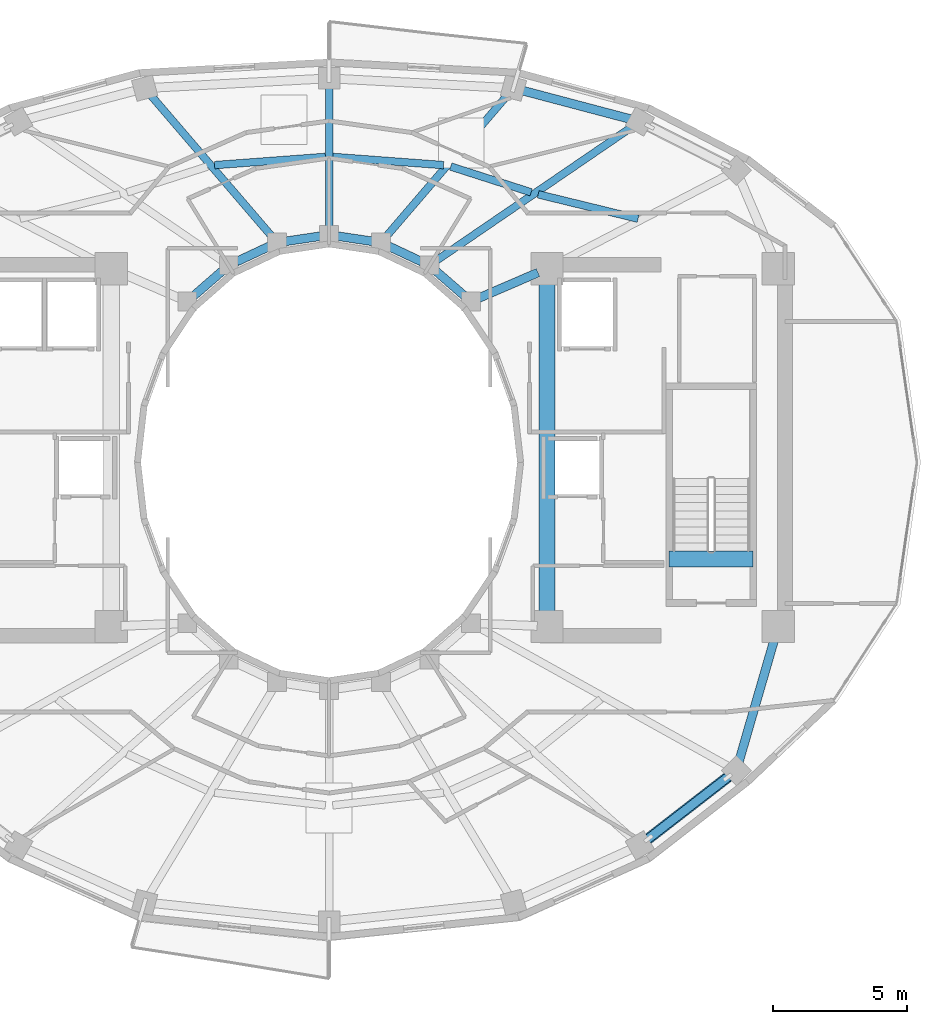
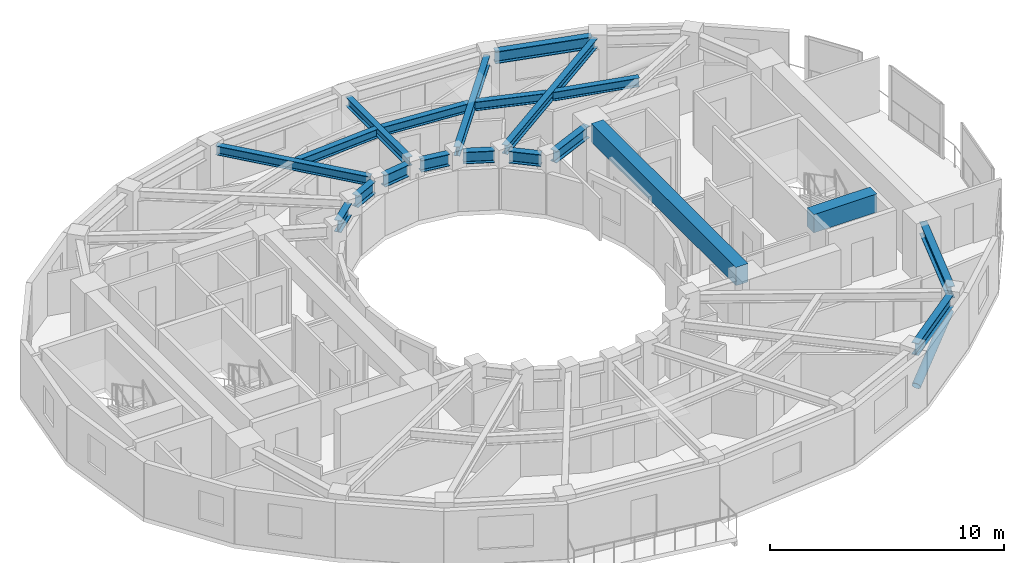
# One storey, part 2 of 12: 20 beams, 1 member.
"""IFC4 building model written with IfcOpenShell, lengths in metres."""

from ifc_helpers import new_model, si_unit, direction, frame, origin, origin_2d, place, context, subcontext, project, spatial, rectangle, hollow_circle, i_section, extrude, material, material_profile, profile_set, type_object, element, save


model = new_model("IFC4")

# Units and contexts
model_context = context("Model", 3, precision=1e-05, world=origin(), true_north=direction((0.0, 1.0)))
body_context = subcontext(model_context, "Body", "Model", "MODEL_VIEW")
ifc_project = project(units=[si_unit("LENGTHUNIT", "METRE"), si_unit("AREAUNIT", "SQUARE_METRE"), si_unit("VOLUMEUNIT", "CUBIC_METRE"), si_unit("PLANEANGLEUNIT", "RADIAN"), si_unit("MASSUNIT", "GRAM", prefix="KILO")], contexts=[model_context])

# Site, building, storey
site_placement = place(None, origin())
site = spatial("IfcSite", under=ifc_project, at=site_placement, CompositionType="ELEMENT")
building_placement = place(site_placement, origin())
building = spatial("IfcBuilding", under=site, at=building_placement, Name="Solvane Sanctuary Tower", CompositionType="ELEMENT")
storey_placement = place(building_placement, frame((0.0, 0.0, 214.0)))
storey = spatial("IfcBuildingStorey", under=building, at=storey_placement, Name="L65", CompositionType="ELEMENT", Elevation=214.0)

# Beams
ifc_material_1 = material(Name="Concrete C70/85", Category="concrete")
ifc_material_profile_1 = material_profile(ifc_material_1, rectangle(XDim=0.60009765625, YDim=0.949951171875, at=origin_2d()), Name="RC600X950")
ifc_profile_set_1 = profile_set([ifc_material_profile_1], Name="Concrete C70/85")
beam_type_1 = type_object("IfcBeamType", Name="Beam B-COUPLE RC600X950", PredefinedType="LINTEL", material=ifc_profile_set_1)
beam_1_placement = place(storey_placement, frame((40.10009765625, 17.35009765625, 2.625), z_axis=(0.0, 1.0, 0.0), x_axis=(-1.0, 0.0, 0.0)))
element("IfcBeam", 1, at=beam_1_placement, inside=storey, type_object=beam_type_1, Name="L65 East Core Coupling Lintel", PredefinedType="LINTEL", context=body_context, shape_type="SweptSolid", body=[
    extrude(rectangle(XDim=0.60009765625, YDim=0.949951171875, at=origin_2d()), origin(), (0.0, 0.0, 1.0), 12.39990234375),
])
beam_2_placement = place(storey_placement, frame((44.64990234375, 19.399169921875, 2.625), z_axis=(1.0, 0.0, 0.0), x_axis=(0.0, 1.0, 0.0)))
element("IfcBeam", 2, at=beam_2_placement, inside=storey, type_object=beam_type_1, Name="L65 ST-2 Stair Floor Landing Trimmer", PredefinedType="LINTEL", context=body_context, shape_type="SweptSolid", body=[
    extrude(rectangle(XDim=0.60009765625, YDim=0.949951171875, at=origin_2d()), origin(), (0.0, 0.0, 1.0), 3.1201171875),
])
ifc_material_2 = material(Name="Steel ASTM A992 Grade 50", Category="steel")
ifc_material_profile_2 = material_profile(ifc_material_2, i_section(OverallWidth=0.282958984375, OverallDepth=0.471923828125, WebThickness=0.013671875, FlangeThickness=0.022216796875, FilletRadius=0.013916015625, at=origin_2d()), Name="W18X97")
ifc_profile_set_2 = profile_set([ifc_material_profile_2], Name="Steel ASTM A992 Grade 50")
beam_type_2 = type_object("IfcBeamType", Name="Beam B-RAD-Z4 W18X97", PredefinedType="JOIST", material=ifc_profile_set_2)
beam_3_placement = place(storey_placement, frame((35.961181640625, 30.484619140625, 2.64208984375), z_axis=(0.825707980649, 0.564097802418, 0.0), x_axis=(-0.564097802418, 0.825707980649, 0.0)))
element("IfcBeam", 3, at=beam_3_placement, inside=storey, type_object=beam_type_2, Name="L65 Radial Composite Floor Beam 02", PredefinedType="JOIST", context=body_context, shape_type="SweptSolid", body=[
    extrude(i_section(OverallWidth=0.282958984375, OverallDepth=0.471923828125, WebThickness=0.013671875, FlangeThickness=0.022216796875, FilletRadius=0.013916015625, at=origin_2d()), origin(), (0.0, 0.0, 1.0), 8.9169921875),
])
beam_4_placement = place(storey_placement, frame((34.113037109375, 31.38427734375, 2.64208984375), z_axis=(0.651023809724, 0.759057309544, 0.0), x_axis=(-0.759057309544, 0.651023809724, 0.0)))
element("IfcBeam", 4, at=beam_4_placement, inside=storey, type_object=beam_type_2, Name="L65 Radial Composite Floor Beam 03", PredefinedType="JOIST", context=body_context, shape_type="SweptSolid", body=[
    extrude(i_section(OverallWidth=0.282958984375, OverallDepth=0.471923828125, WebThickness=0.013671875, FlangeThickness=0.022216796875, FilletRadius=0.013916015625, at=origin_2d()), origin(), (0.0, 0.0, 1.0), 7.005615234375),
])
beam_5_placement = place(storey_placement, frame((32.0, 31.739990234375, 2.64208984375), z_axis=(0.0, 1.0, 0.0), x_axis=(-1.0, 0.0, 0.0)))
element("IfcBeam", 5, at=beam_5_placement, inside=storey, type_object=beam_type_2, Name="L65 Radial Composite Floor Beam 04", PredefinedType="JOIST", context=body_context, shape_type="SweptSolid", body=[
    extrude(i_section(OverallWidth=0.282958984375, OverallDepth=0.471923828125, WebThickness=0.013671875, FlangeThickness=0.022216796875, FilletRadius=0.013916015625, at=origin_2d()), origin(), (0.0, 0.0, 1.0), 5.260009765625),
])
beam_6_placement = place(storey_placement, frame((29.886962890625, 31.38427734375, 2.64208984375), z_axis=(-0.651023809724, 0.759057309544, 0.0), x_axis=(-0.759057309544, -0.651023809724, 0.0)))
element("IfcBeam", 6, at=beam_6_placement, inside=storey, type_object=beam_type_2, Name="L65 Radial Composite Floor Beam 05", PredefinedType="JOIST", context=body_context, shape_type="SweptSolid", body=[
    extrude(i_section(OverallWidth=0.282958984375, OverallDepth=0.471923828125, WebThickness=0.013671875, FlangeThickness=0.022216796875, FilletRadius=0.013916015625, at=origin_2d()), origin(), (0.0, 0.0, 1.0), 7.005615234375),
])
ifc_material_profile_3 = material_profile(ifc_material_2, i_section(OverallWidth=0.324951171875, OverallDepth=0.615966796875, WebThickness=0.013916015625, FlangeThickness=0.021484375, FilletRadius=0.01611328125, at=origin_2d()), Name="W24X117")
ifc_profile_set_3 = profile_set([ifc_material_profile_3], Name="Steel ASTM A992 Grade 50")
beam_type_3 = type_object("IfcBeamType", Name="Beam B-RING-IN2 W24X117", PredefinedType="BEAM", material=ifc_profile_set_3)
beam_7_placement = place(storey_placement, frame((26.96630859375, 29.192138671875, 2.570068359375), z_axis=(0.754388985763, 0.656427648839, 0.0), x_axis=(-0.656427648839, 0.754388985763, 0.0)))
element("IfcBeam", 7, at=beam_7_placement, inside=storey, type_object=beam_type_3, Name="L65 Inner Light-Well Ring Beam IC07-IC06", PredefinedType="BEAM", context=body_context, shape_type="SweptSolid", body=[
    extrude(i_section(OverallWidth=0.324951171875, OverallDepth=0.615966796875, WebThickness=0.013916015625, FlangeThickness=0.021484375, FilletRadius=0.01611328125, at=origin_2d()), origin(), (0.0, 0.0, 1.0), 1.408203125),
])
beam_8_placement = place(storey_placement, frame((28.5595703125, 30.462646484375, 2.570068359375), z_axis=(0.905134542189, 0.425125229241, 0.0), x_axis=(-0.425125229241, 0.905134542189, 0.0)))
element("IfcBeam", 8, at=beam_8_placement, inside=storey, type_object=beam_type_3, Name="L65 Inner Light-Well Ring Beam IC06-IC05", PredefinedType="BEAM", context=body_context, shape_type="SweptSolid", body=[
    extrude(i_section(OverallWidth=0.324951171875, OverallDepth=0.615966796875, WebThickness=0.013916015625, FlangeThickness=0.021484375, FilletRadius=0.01611328125, at=origin_2d()), origin(), (0.0, 0.0, 1.0), 1.347900390625),
])
for number, where, z_axis, x_axis, name in (
    (9, (30.3857421875, 31.218994140625, 2.570068359375), (0.989056121481, 0.147539786368, 0.0), (-0.147539786368, 0.989056121481, 0.0), "L65 Inner Light-Well Ring Beam IC05-IC04"),
    (10, (32.31640625, 31.41259765625, 2.570068359375), (0.989056121481, -0.147539786368, 0.0), (0.147539786368, 0.989056121481, 0.0), "L65 Inner Light-Well Ring Beam IC04-IC03"),
):
    element("IfcBeam", number, at=place(storey_placement, frame(where, z_axis=z_axis, x_axis=x_axis)), inside=storey, type_object=beam_type_3, Name=name, PredefinedType="BEAM", context=body_context, shape_type="SweptSolid", body=[
        extrude(i_section(OverallWidth=0.324951171875, OverallDepth=0.615966796875, WebThickness=0.013916015625, FlangeThickness=0.021484375, FilletRadius=0.01611328125, at=origin_2d()), origin(), (0.0, 0.0, 1.0), 1.312255859375),
    ])
beam_9_placement = place(storey_placement, frame((34.220458984375, 31.03564453125, 2.570068359375), z_axis=(0.905134542189, -0.425125229241, 0.0), x_axis=(0.425125229241, 0.905134542189, 0.0)))
element("IfcBeam", 11, at=beam_9_placement, inside=storey, type_object=beam_type_3, Name="L65 Inner Light-Well Ring Beam IC03-IC02", PredefinedType="BEAM", context=body_context, shape_type="SweptSolid", body=[
    extrude(i_section(OverallWidth=0.324951171875, OverallDepth=0.615966796875, WebThickness=0.013916015625, FlangeThickness=0.021484375, FilletRadius=0.01611328125, at=origin_2d()), origin(), (0.0, 0.0, 1.0), 1.347900390625),
])
beam_10_placement = place(storey_placement, frame((35.971435546875, 30.116455078125, 2.570068359375), z_axis=(0.754388985763, -0.656427648839, 0.0), x_axis=(0.656427648839, 0.754388985763, 0.0)))
element("IfcBeam", 12, at=beam_10_placement, inside=storey, type_object=beam_type_3, Name="L65 Inner Light-Well Ring Beam IC02-IC01", PredefinedType="BEAM", context=body_context, shape_type="SweptSolid", body=[
    extrude(i_section(OverallWidth=0.324951171875, OverallDepth=0.615966796875, WebThickness=0.013916015625, FlangeThickness=0.021484375, FilletRadius=0.01611328125, at=origin_2d()), origin(), (0.0, 0.0, 1.0), 1.408203125),
])
beam_11_placement = place(storey_placement, frame((37.56884765625, 29.10888671875, 2.570068359375), z_axis=(0.918283854026, 0.395922673554, 0.0), x_axis=(-0.395922673554, 0.918283854026, 0.0)))
element("IfcBeam", 13, at=beam_11_placement, inside=storey, type_object=beam_type_3, Name="L65 Inner Light-Well Ring Beam IC01-CE4", PredefinedType="BEAM", context=body_context, shape_type="SweptSolid", body=[
    extrude(i_section(OverallWidth=0.324951171875, OverallDepth=0.615966796875, WebThickness=0.013916015625, FlangeThickness=0.021484375, FilletRadius=0.01611328125, at=origin_2d()), origin(), (0.0, 0.0, 1.0), 2.396240234375),
])
ifc_material_profile_4 = material_profile(ifc_material_2, i_section(OverallWidth=0.280029296875, OverallDepth=0.462890625, WebThickness=0.0107421875, FlangeThickness=0.017333984375, FilletRadius=0.013916015625, at=origin_2d()), Name="W18X76")
ifc_profile_set_4 = profile_set([ifc_material_profile_4], Name="Steel ASTM A992 Grade 50")
beam_type_4 = type_object("IfcBeamType", Name="Beam B-SEC-JOIST W18X76", PredefinedType="JOIST", material=ifc_profile_set_4)
for number, where, z_axis, x_axis, name in (
    (14, (27.74267578125, 34.052978515625, 2.646484375), (0.997239150169, 0.074256833823, 0.0), (-0.074256833823, 0.997239150169, 0.0), "L65 Secondary Circumferential Joist 05-04"),
    (15, (32.135986328125, 34.35986328125, 2.646484375), (0.997239150169, -0.074256833823, 0.0), (0.074256833823, 0.997239150169, 0.0), "L65 Secondary Circumferential Joist 04-03"),
):
    element("IfcBeam", number, at=place(storey_placement, frame(where, z_axis=z_axis, x_axis=x_axis)), inside=storey, type_object=beam_type_4, Name=name, PredefinedType="JOIST", context=body_context, shape_type="SweptSolid", body=[
        extrude(i_section(OverallWidth=0.280029296875, OverallDepth=0.462890625, WebThickness=0.0107421875, FlangeThickness=0.017333984375, FilletRadius=0.013916015625, at=origin_2d()), origin(), (0.0, 0.0, 1.0), 4.1328125),
    ])
beam_12_placement = place(storey_placement, frame((36.5234375, 34.001220703125, 2.646484375), z_axis=(0.952124803756, -0.305709597612, 0.0), x_axis=(0.305709597612, 0.952124803756, 0.0)))
element("IfcBeam", 16, at=beam_12_placement, inside=storey, type_object=beam_type_4, Name="L65 Secondary Circumferential Joist 03-02", PredefinedType="JOIST", context=body_context, shape_type="SweptSolid", body=[
    extrude(i_section(OverallWidth=0.280029296875, OverallDepth=0.462890625, WebThickness=0.0107421875, FlangeThickness=0.017333984375, FilletRadius=0.013916015625, at=origin_2d()), origin(), (0.0, 0.0, 1.0), 3.139404296875),
])
beam_13_placement = place(storey_placement, frame((39.775146484375, 32.96728515625, 2.646484375), z_axis=(0.971494163165, -0.237063474489, 0.0), x_axis=(0.237063474489, 0.971494163165, 0.0)))
element("IfcBeam", 17, at=beam_13_placement, inside=storey, type_object=beam_type_4, Name="L65 Secondary Circumferential Joist 02-01", PredefinedType="JOIST", context=body_context, shape_type="SweptSolid", body=[
    extrude(i_section(OverallWidth=0.280029296875, OverallDepth=0.462890625, WebThickness=0.0107421875, FlangeThickness=0.017333984375, FilletRadius=0.013916015625, at=origin_2d()), origin(), (0.0, 0.0, 1.0), 3.82373046875),
])
ifc_material_profile_5 = material_profile(ifc_material_2, i_section(OverallWidth=0.327880859375, OverallDepth=0.6279296875, WebThickness=0.0166015625, FlangeThickness=0.027587890625, FilletRadius=0.01611328125, at=origin_2d()), Name="W24X146")
ifc_profile_set_5 = profile_set([ifc_material_profile_5], Name="Steel ASTM A992 Grade 50")
beam_type_5 = type_object("IfcBeamType", Name="Beam B-SPAND-Z3 W24X146", PredefinedType="SPANDREL", material=ifc_profile_set_5)
beam_14_placement = place(storey_placement, frame((39.126708984375, 36.8427734375, 2.56396484375), z_axis=(0.966816659466, -0.255471225343, 0.0), x_axis=(0.255471225343, 0.966816659466, 0.0)))
element("IfcBeam", 18, at=beam_14_placement, inside=storey, type_object=beam_type_5, Name="L65 Perimeter Spandrel Beam TC03-TC02", PredefinedType="SPANDREL", context=body_context, shape_type="SweptSolid", body=[
    extrude(i_section(OverallWidth=0.327880859375, OverallDepth=0.6279296875, WebThickness=0.0166015625, FlangeThickness=0.027587890625, FilletRadius=0.01611328125, at=origin_2d()), origin(), (0.0, 0.0, 1.0), 4.300537109375),
])
beam_15_placement = place(storey_placement, frame((43.776611328125, 8.929931640625, 2.56396484375), z_axis=(0.79064516309, 0.612274632891, 0.0), x_axis=(-0.612274632891, 0.79064516309, 0.0)))
element("IfcBeam", 19, at=beam_15_placement, inside=storey, type_object=beam_type_5, Name="L65 Perimeter Spandrel Beam TC13-TC14", PredefinedType="SPANDREL", context=body_context, shape_type="SweptSolid", body=[
    extrude(i_section(OverallWidth=0.327880859375, OverallDepth=0.6279296875, WebThickness=0.0166015625, FlangeThickness=0.027587890625, FilletRadius=0.01611328125, at=origin_2d()), origin(), (0.0, 0.0, 1.0), 3.980224609375),
])
beam_16_placement = place(storey_placement, frame((47.222900390625, 11.80712890625, 2.56396484375), z_axis=(0.278564353947, 0.960417565807, 0.0), x_axis=(-0.960417565807, 0.278564353947, 0.0)))
element("IfcBeam", 20, at=beam_16_placement, inside=storey, type_object=beam_type_5, Name="L65 Perimeter Spandrel Beam TC14-CE2", PredefinedType="SPANDREL", context=body_context, shape_type="SweptSolid", body=[
    extrude(i_section(OverallWidth=0.327880859375, OverallDepth=0.6279296875, WebThickness=0.0166015625, FlangeThickness=0.027587890625, FilletRadius=0.01611328125, at=origin_2d()), origin(), (0.0, 0.0, 1.0), 5.022705078125),
])

# Member
ifc_material_profile_6 = material_profile(ifc_material_2, hollow_circle(Radius=0.202880859375, WallThickness=0.012451171875, at=origin_2d()), Name="CHS406X12.5")
ifc_profile_set_6 = profile_set([ifc_material_profile_6], Name="Steel ASTM A992 Grade 50")
member_type = type_object("IfcMemberType", Name="Member M-TUBE-Z3 CHS406X12.5", PredefinedType="BRACE", material=ifc_profile_set_6)
member_placement = place(storey_placement, frame((43.881591796875, 9.011474609375, 0.550048828125), z_axis=(0.731090089768, 0.566107162853, 0.380827993731), x_axis=(-0.612242116954, 0.790670342322, 0.0)))
element("IfcMember", 21, at=member_placement, inside=storey, type_object=member_type, Name="L65 Perimeter Braced-Tube Diagonal SE", PredefinedType="BRACE", context=body_context, shape_type="SweptSolid", body=[
    extrude(hollow_circle(Radius=0.202880859375, WallThickness=0.012451171875, at=origin_2d()), origin(), (0.0, 0.0, 1.0), 4.017578125),
])

save(model, "model.ifc")
